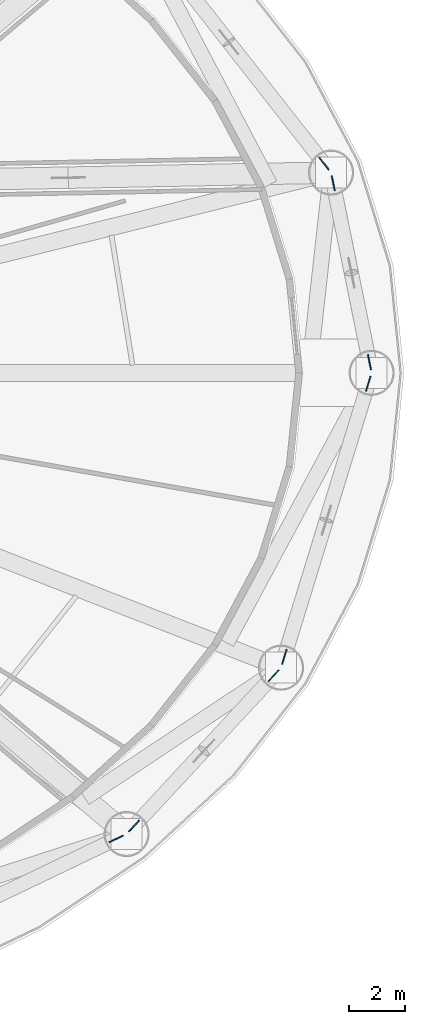
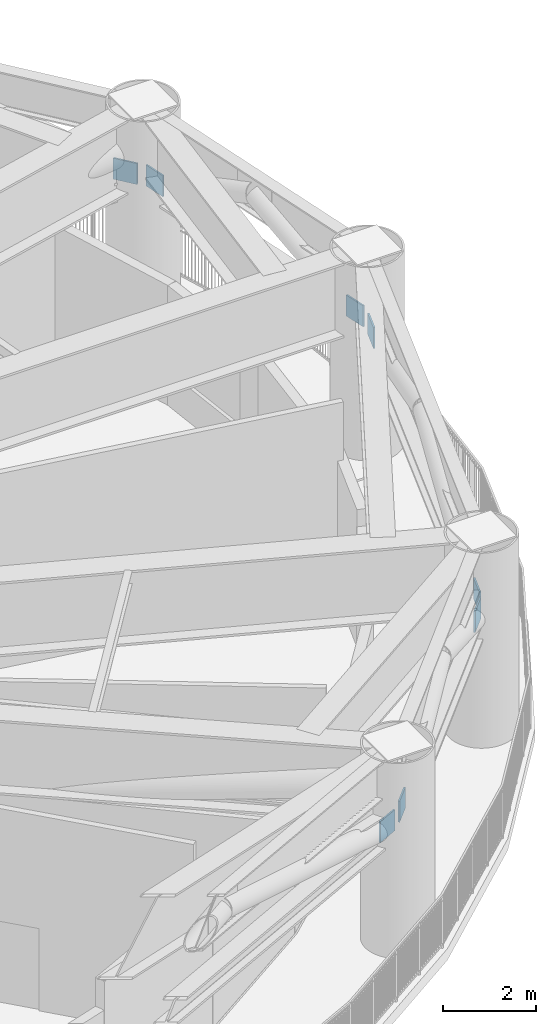
# One storey, part 9 of 22: 8 plates.
"""IFC4 building model written with IfcOpenShell, lengths in metres."""

from ifc_helpers import new_model, si_unit, direction, frame, origin, origin_2d, place, context, subcontext, project, spatial, rectangle, extrude, source, transform, mapped, material, layer, layer_set, type_object, element, save


model = new_model("IFC4")

# Units and contexts
model_context = context("Model", 3, precision=1e-05, world=origin(), true_north=direction((0.0, 1.0)))
body_context = subcontext(model_context, "Body", "Model", "MODEL_VIEW")
ifc_project = project(units=[si_unit("LENGTHUNIT", "METRE"), si_unit("AREAUNIT", "SQUARE_METRE"), si_unit("VOLUMEUNIT", "CUBIC_METRE"), si_unit("PLANEANGLEUNIT", "RADIAN"), si_unit("MASSUNIT", "GRAM", prefix="KILO")], contexts=[model_context])

# Site, building, storey
site_placement = place(None, origin())
site = spatial("IfcSite", under=ifc_project, at=site_placement, CompositionType="ELEMENT")
building_placement = place(site_placement, origin())
building = spatial("IfcBuilding", under=site, at=building_placement, Name="Linh Dai School and Residence Tower", CompositionType="ELEMENT")
storey_placement = place(building_placement, frame((0.0, 0.0, 87.0)))
storey = spatial("IfcBuildingStorey", under=building, at=storey_placement, Name="L20", CompositionType="ELEMENT", Elevation=87.0)

# Plates
ifc_material = material(Name="Structural Steel S355JR", Category="steel")
ifc_layer = layer(ifc_material, 0.0400390625)
ifc_layer_set = layer_set([ifc_layer], Name="Structural Steel S355JR")
plate_type = type_object("IfcPlateType", Name="PLT-GP1", PredefinedType="USERDEFINED", material=ifc_layer_set)
shared_shape = source(origin(), body_context, "Body", "SweptSolid", [
    extrude(rectangle(XDim=0.550048828125, YDim=0.0400390625, at=origin_2d()), origin(), (0.0, 0.0, 1.0), 0.550048828125),
])
for number, where, z_axis, x_axis, name in (
    (1, (65.973388671875, 27.37841796875, 2.93994140625), (0.0, 0.0, 1.0), (-0.198437329692, 0.980113578206, 0.0), "L20 Belt Truss BT2 Root End Gusset 01A"),
    (2, (64.6875, 33.72998046875, 2.93994140625), (0.0, 0.0, 1.0), (-0.198437329692, 0.980113578206, 0.0), "L20 Belt Truss BT2 Root End Gusset 01B"),
    (3, (64.3603515625, 34.42822265625, 2.8818359375), (0.0, 0.0, 1.0), (-0.616865363532, 0.787068690315, 0.0), "L20 Belt Truss BT2 Root End Gusset 02A"),
    (4, (56.98388671875, 10.4541015625, 2.8701171875), (0.0, 0.0, 1.0), (0.901726332669, 0.432307322367, 0.0), "L20 Belt Truss BT2 Root End Gusset 14B"),
    (5, (57.619384765625, 10.918212890625, 2.92578125), (0.0, 0.0, 1.0), (0.68039596357, 0.73284468529, 0.0), "L20 Belt Truss BT2 Root End Gusset 15A"),
    (6, (62.56884765625, 16.2490234375, 2.92578125), (0.0, 0.0, 1.0), (0.68039596357, 0.73284468529, 0.0), "L20 Belt Truss BT2 Root End Gusset 15B"),
    (7, (62.9541015625, 16.922607421875, 2.8896484375), (0.0, 0.0, 1.0), (0.293657555286, 0.955910686321, 0.0), "L20 Belt Truss BT2 Root End Gusset 16A"),
    (8, (65.931396484375, 26.61376953125, 2.8896484375), (0.0, 0.0, 1.0), (0.293657555286, 0.955910686321, 0.0), "L20 Belt Truss BT2 Root End Gusset 16B"),
):
    element("IfcPlate", number, at=place(storey_placement, frame(where, z_axis=z_axis, x_axis=x_axis)), inside=storey, type_object=plate_type, Name=name, ObjectType="GUSSET PLATE", PredefinedType="USERDEFINED", context=body_context, shape_type="MappedRepresentation", body=[
        mapped(shared_shape, transform((0.0, 0.0, 0.0), x_axis=(1.0, 0.0, 0.0), y_axis=(0.0, 1.0, 0.0), z_axis=(0.0, 0.0, 1.0), scale=1.0)),
    ])

save(model, "model.ifc")
